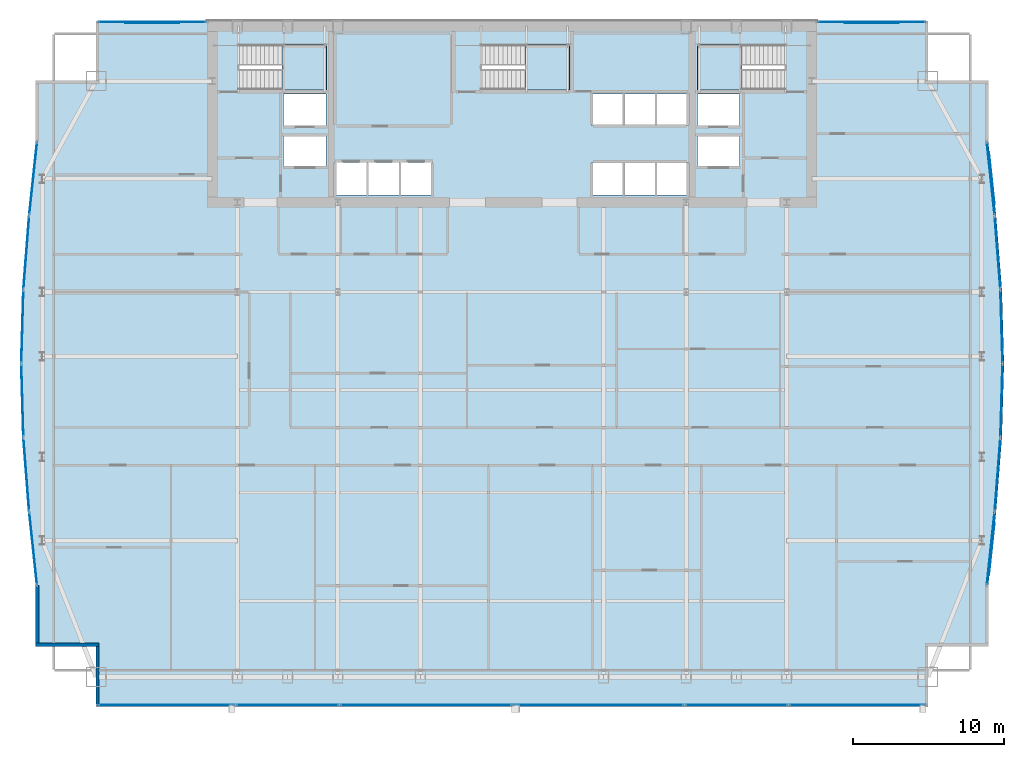
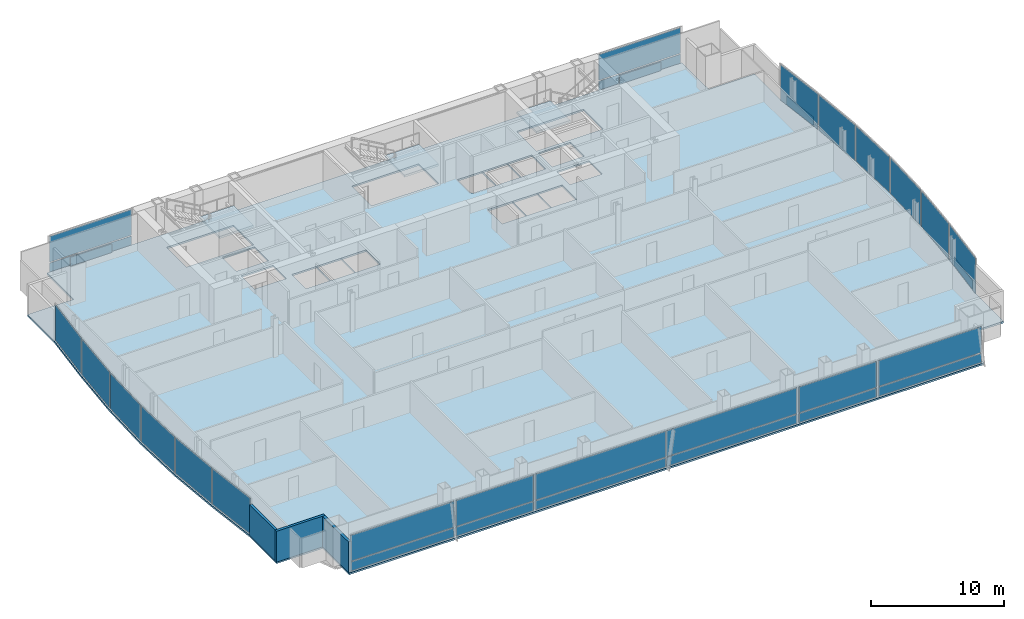
# One storey, part 23 of 29: 32 plates, 4 slabs, 3 walls, 22 elements without a shape of their own.
"""IFC4 building model written with IfcOpenShell, lengths in metres."""

from ifc_helpers import new_model, si_unit, direction, frame, frame_2d, origin, origin_2d, place, context, subcontext, project, spatial, polyline, rectangle, outline, extrude, material, layer, layer_set, type_object, element, aggregate, save


model = new_model("IFC4")

# Units and contexts
model_context = context("Model", 3, precision=1e-05, world=origin(), true_north=direction((0.0, 1.0)))
body_context = subcontext(model_context, "Body", "Model", "MODEL_VIEW")
ifc_project = project(units=[si_unit("LENGTHUNIT", "METRE"), si_unit("AREAUNIT", "SQUARE_METRE"), si_unit("VOLUMEUNIT", "CUBIC_METRE"), si_unit("PLANEANGLEUNIT", "RADIAN"), si_unit("MASSUNIT", "GRAM", prefix="KILO")], contexts=[model_context])

# Site, building, storey
site_placement = place(None, origin())
site = spatial("IfcSite", under=ifc_project, at=site_placement, CompositionType="ELEMENT")
building_placement = place(site_placement, origin())
building = spatial("IfcBuilding", under=site, at=building_placement, Name="Khoronbel Lancet Exchange", CompositionType="ELEMENT")
storey_placement = place(building_placement, frame((0.0, 0.0, 139.800048828125)))
storey = spatial("IfcBuildingStorey", under=building, at=storey_placement, Name="L34", CompositionType="ELEMENT", Elevation=139.800048828125)

# Curtain wall, plate
ifc_material_1 = material(Name="Low-E Solar Control Insulating Glass", Category="glass")
curtain_wall_type_1 = type_object("IfcCurtainWallType", Name="CW-4", PredefinedType="NOTDEFINED", material=ifc_material_1)
curtain_wall_1_placement = place(storey_placement, origin())
curtain_wall_1 = element("IfcCurtainWall", 1, at=curtain_wall_1_placement, inside=storey, type_object=curtain_wall_type_1, Name="Unitised curtain wall CW-L34-E05", PredefinedType="NOTDEFINED")
ifc_material_2 = material(Name="Bronze-Anodised Aluminium 6063-T6", Category="aluminium")
ifc_layer_1 = layer(ifc_material_2, 0.050048828125, Name="Bronze-Anodised Aluminium 6063-T6")
ifc_layer_set_1 = layer_set([ifc_layer_1], Name="Bronze-Anodised Aluminium 6063-T6")
plate_type_1 = type_object("IfcPlateType", Name="PLT-CSP1", PredefinedType="SHEET", material=ifc_layer_set_1)
plate_1_placement = place(storey_placement, frame((4.22265625, 23.58154296875, 0.0849609375), z_axis=(0.0, 0.0, 1.0), x_axis=(-0.077920756627, 0.996959555693, 0.0)))
plate_1 = element("IfcPlate", 2, at=plate_1_placement, type_object=plate_type_1, Name="CW4 panel 1.1", PredefinedType="CURTAIN_PANEL", context=body_context, shape_type="SweptSolid", body=[
    extrude(rectangle(XDim=4.778076171875, YDim=0.0380859375, at=origin_2d()), origin(), (0.0, 0.0, 1.0), 3.27001953125),
])
aggregate(curtain_wall_1, [plate_1])

curtain_wall_2_placement = place(storey_placement, origin())
curtain_wall_2 = element("IfcCurtainWall", 3, at=curtain_wall_2_placement, inside=storey, type_object=curtain_wall_type_1, Name="Unitised curtain wall CW-L34-E06", PredefinedType="NOTDEFINED")
plate_2_placement = place(storey_placement, frame((3.960205078125, 28.494140625, 0.0849609375), z_axis=(0.0, 0.0, 1.0), x_axis=(-0.028612641702, 0.999590574553, 0.0)))
plate_2 = element("IfcPlate", 4, at=plate_2_placement, type_object=plate_type_1, Name="CW4 panel 1.1", PredefinedType="CURTAIN_PANEL", context=body_context, shape_type="SweptSolid", body=[
    extrude(rectangle(XDim=4.763916015625, YDim=0.0380859375, at=origin_2d()), origin(), (0.0, 0.0, 1.0), 3.27001953125),
])
aggregate(curtain_wall_2, [plate_2])

curtain_wall_3_placement = place(storey_placement, origin())
curtain_wall_3 = element("IfcCurtainWall", 5, at=curtain_wall_3_placement, inside=storey, type_object=curtain_wall_type_1, Name="Unitised curtain wall CW-L34-E07", PredefinedType="NOTDEFINED")
plate_3_placement = place(storey_placement, frame((3.960205078125, 33.406005859375, 0.0849609375), z_axis=(0.0, 0.0, 1.0), x_axis=(0.028612641702, 0.999590574553, 0.0)))
plate_3 = element("IfcPlate", 6, at=plate_3_placement, type_object=plate_type_1, Name="CW4 panel 1.1", PredefinedType="CURTAIN_PANEL", context=body_context, shape_type="SweptSolid", body=[
    extrude(rectangle(XDim=4.763916015625, YDim=0.0380859375, at=origin_2d()), origin(), (0.0, 0.0, 1.0), 3.27001953125),
])
aggregate(curtain_wall_3, [plate_3])

curtain_wall_4_placement = place(storey_placement, origin())
curtain_wall_4 = element("IfcCurtainWall", 7, at=curtain_wall_4_placement, inside=storey, type_object=curtain_wall_type_1, Name="Unitised curtain wall CW-L34-E08", PredefinedType="NOTDEFINED")
plate_4_placement = place(storey_placement, frame((4.22265625, 38.318359375, 0.0849609375), z_axis=(0.0, 0.0, 1.0), x_axis=(0.077920756627, 0.996959555693, 0.0)))
plate_4 = element("IfcPlate", 8, at=plate_4_placement, type_object=plate_type_1, Name="CW4 panel 1.1", PredefinedType="CURTAIN_PANEL", context=body_context, shape_type="SweptSolid", body=[
    extrude(rectangle(XDim=4.778076171875, YDim=0.0380859375, at=origin_2d()), origin(), (0.0, 0.0, 1.0), 3.27001953125),
])
aggregate(curtain_wall_4, [plate_4])

curtain_wall_type_2 = type_object("IfcCurtainWallType", Name="CW-3", PredefinedType="NOTDEFINED", material=ifc_material_1)
curtain_wall_5_placement = place(storey_placement, origin())
curtain_wall_5 = element("IfcCurtainWall", 9, at=curtain_wall_5_placement, inside=storey, type_object=curtain_wall_type_2, Name="Unitised curtain wall CW-L34-NWFLK", PredefinedType="NOTDEFINED")
plate_5_placement = place(storey_placement, frame((12.580078125, 53.550048828125, 0.0498046875), z_axis=(0.0, 0.0, 1.0), x_axis=(-1.0, 0.0, 0.0)))
plate_5 = element("IfcPlate", 10, at=plate_5_placement, type_object=plate_type_1, Name="Insulated bronze spandrel cassette CW-L34-NWFLK", PredefinedType="SHEET", context=body_context, shape_type="SweptSolid", body=[
    extrude(rectangle(XDim=3.60009765625, YDim=0.050048828125, at=origin_2d()), origin(), (0.0, 0.0, 1.0), 0.800048828125),
])

curtain_wall_6_placement = place(storey_placement, origin())
curtain_wall_6 = element("IfcCurtainWall", 11, at=curtain_wall_6_placement, inside=storey, type_object=curtain_wall_type_2, Name="Unitised curtain wall CW-L34-NEFLK", PredefinedType="NOTDEFINED")
plate_6_placement = place(storey_placement, frame((60.320068359375, 53.550048828125, 0.0498046875), z_axis=(0.0, 0.0, 1.0), x_axis=(-1.0, 0.0, 0.0)))
plate_6 = element("IfcPlate", 12, at=plate_6_placement, type_object=plate_type_1, Name="Insulated bronze spandrel cassette CW-L34-NEFLK", PredefinedType="SHEET", context=body_context, shape_type="SweptSolid", body=[
    extrude(rectangle(XDim=3.60009765625, YDim=0.050048828125, at=origin_2d()), origin(), (0.0, 0.0, 1.0), 0.800048828125),
])

curtain_wall_7_placement = place(storey_placement, origin())
curtain_wall_7 = element("IfcCurtainWall", 13, at=curtain_wall_7_placement, inside=storey, type_object=curtain_wall_type_1, Name="Unitised curtain wall CW-L34-E17", PredefinedType="NOTDEFINED")
plate_7_placement = place(storey_placement, frame((68.282470703125, 43.241455078125, 0.0498046875), z_axis=(0.0, 0.0, 1.0), x_axis=(0.106180610586, -0.994346859972, 0.0)))
plate_7 = element("IfcPlate", 14, at=plate_7_placement, type_object=plate_type_1, Name="Insulated bronze spandrel cassette CW-L34-E17", PredefinedType="SHEET", context=body_context, shape_type="SweptSolid", body=[
    extrude(rectangle(XDim=3.463623046875, YDim=0.050048828125, at=origin_2d()), origin(), (0.0, 0.0, 1.0), 0.800048828125),
])

curtain_wall_8_placement = place(storey_placement, origin())
curtain_wall_8 = element("IfcCurtainWall", 15, at=curtain_wall_8_placement, inside=storey, type_object=curtain_wall_type_1, Name="Unitised curtain wall CW-L34-E18", PredefinedType="NOTDEFINED")
plate_8_placement = place(storey_placement, frame((68.677490234375, 38.318359375, 0.0849609375), z_axis=(0.0, 0.0, 1.0), x_axis=(0.077920756627, -0.996959555693, 0.0)))
plate_8 = element("IfcPlate", 16, at=plate_8_placement, type_object=plate_type_1, Name="CW4 panel 1.1", PredefinedType="CURTAIN_PANEL", context=body_context, shape_type="SweptSolid", body=[
    extrude(rectangle(XDim=4.778076171875, YDim=0.0380859375, at=origin_2d()), origin(), (0.0, 0.0, 1.0), 3.27001953125),
])
aggregate(curtain_wall_8, [plate_8])

curtain_wall_9_placement = place(storey_placement, origin())
curtain_wall_9 = element("IfcCurtainWall", 17, at=curtain_wall_9_placement, inside=storey, type_object=curtain_wall_type_1, Name="Unitised curtain wall CW-L34-E19", PredefinedType="NOTDEFINED")
plate_9_placement = place(storey_placement, frame((68.939697265625, 33.406005859375, 0.0849609375), z_axis=(0.0, 0.0, 1.0), x_axis=(0.028612641702, -0.999590574553, 0.0)))
plate_9 = element("IfcPlate", 18, at=plate_9_placement, type_object=plate_type_1, Name="CW4 panel 1.1", PredefinedType="CURTAIN_PANEL", context=body_context, shape_type="SweptSolid", body=[
    extrude(rectangle(XDim=4.763916015625, YDim=0.0380859375, at=origin_2d()), origin(), (0.0, 0.0, 1.0), 3.27001953125),
])
aggregate(curtain_wall_9, [plate_9])

curtain_wall_10_placement = place(storey_placement, origin())
curtain_wall_10 = element("IfcCurtainWall", 19, at=curtain_wall_10_placement, inside=storey, type_object=curtain_wall_type_1, Name="Unitised curtain wall CW-L34-E20", PredefinedType="NOTDEFINED")
plate_10_placement = place(storey_placement, frame((68.939697265625, 28.494140625, 0.0849609375), z_axis=(0.0, 0.0, 1.0), x_axis=(-0.028612641702, -0.999590574553, 0.0)))
plate_10 = element("IfcPlate", 20, at=plate_10_placement, type_object=plate_type_1, Name="CW4 panel 1.1", PredefinedType="CURTAIN_PANEL", context=body_context, shape_type="SweptSolid", body=[
    extrude(rectangle(XDim=4.763916015625, YDim=0.0380859375, at=origin_2d()), origin(), (0.0, 0.0, 1.0), 3.27001953125),
])
aggregate(curtain_wall_10, [plate_10])

curtain_wall_11_placement = place(storey_placement, origin())
curtain_wall_11 = element("IfcCurtainWall", 21, at=curtain_wall_11_placement, inside=storey, type_object=curtain_wall_type_1, Name="Unitised curtain wall CW-L34-E21", PredefinedType="NOTDEFINED")
plate_11_placement = place(storey_placement, frame((68.677490234375, 23.58154296875, 0.0849609375), z_axis=(0.0, 0.0, 1.0), x_axis=(-0.077920756627, -0.996959555693, 0.0)))
plate_11 = element("IfcPlate", 22, at=plate_11_placement, type_object=plate_type_1, Name="CW4 panel 1.1", PredefinedType="CURTAIN_PANEL", context=body_context, shape_type="SweptSolid", body=[
    extrude(rectangle(XDim=4.778076171875, YDim=0.0380859375, at=origin_2d()), origin(), (0.0, 0.0, 1.0), 3.27001953125),
])
aggregate(curtain_wall_11, [plate_11])

curtain_wall_12_placement = place(storey_placement, origin())
curtain_wall_12 = element("IfcCurtainWall", 23, at=curtain_wall_12_placement, inside=storey, type_object=curtain_wall_type_1, Name="Unitised curtain wall CW-L34-E22", PredefinedType="NOTDEFINED")
plate_12_placement = place(storey_placement, frame((68.282470703125, 18.658447265625, 0.0498046875), z_axis=(0.0, 0.0, 1.0), x_axis=(-0.106180610586, -0.994346859972, 0.0)))
plate_12 = element("IfcPlate", 24, at=plate_12_placement, type_object=plate_type_1, Name="Insulated bronze spandrel cassette CW-L34-E22", PredefinedType="SHEET", context=body_context, shape_type="SweptSolid", body=[
    extrude(rectangle(XDim=3.463623046875, YDim=0.050048828125, at=origin_2d()), origin(), (0.0, 0.0, 1.0), 0.800048828125),
])

# Curtain wall, plates
curtain_wall_13_placement = place(storey_placement, origin())
curtain_wall_13 = element("IfcCurtainWall", 25, at=curtain_wall_13_placement, inside=storey, type_object=curtain_wall_type_2, Name="Unitised curtain wall CW-L34-SWB", PredefinedType="NOTDEFINED")
plate_13_placement = place(storey_placement, frame((21.550048828125, 8.2900390625, 0.0849609375), z_axis=(0.0, 0.0, 1.0), x_axis=(1.0, 0.0, 0.0)))
plate_13 = element("IfcPlate", 26, at=plate_13_placement, type_object=plate_type_1, Name="CW3 panel 1.1", PredefinedType="CURTAIN_PANEL", context=body_context, shape_type="SweptSolid", body=[
    extrude(rectangle(XDim=6.72998046875, YDim=0.0380859375, at=origin_2d()), origin(), (0.0, 0.0, 1.0), 0.822509765625),
])
plate_14_placement = place(storey_placement, frame((21.550048828125, 8.2900390625, 0.9921875), z_axis=(0.0, 0.0, 1.0), x_axis=(1.0, 0.0, 0.0)))
plate_14 = element("IfcPlate", 27, at=plate_14_placement, type_object=plate_type_1, Name="CW3 panel 1.2", PredefinedType="CURTAIN_PANEL", context=body_context, shape_type="SweptSolid", body=[
    extrude(rectangle(XDim=6.72998046875, YDim=0.0380859375, at=origin_2d()), origin(), (0.0, 0.0, 1.0), 2.362548828125),
])
aggregate(curtain_wall_13, [plate_13, plate_14])

curtain_wall_14_placement = place(storey_placement, origin())
curtain_wall_14 = element("IfcCurtainWall", 28, at=curtain_wall_14_placement, inside=storey, type_object=curtain_wall_type_2, Name="Unitised curtain wall CW-L34-SEB", PredefinedType="NOTDEFINED")
plate_15_placement = place(storey_placement, frame((51.35009765625, 8.2900390625, 0.0849609375), z_axis=(0.0, 0.0, 1.0), x_axis=(1.0, 0.0, 0.0)))
plate_15 = element("IfcPlate", 29, at=plate_15_placement, type_object=plate_type_1, Name="CW3 panel 1.1", PredefinedType="CURTAIN_PANEL", context=body_context, shape_type="SweptSolid", body=[
    extrude(rectangle(XDim=6.72998046875, YDim=0.0380859375, at=origin_2d()), origin(), (0.0, 0.0, 1.0), 0.822509765625),
])
plate_16_placement = place(storey_placement, frame((51.35009765625, 8.2900390625, 0.9921875), z_axis=(0.0, 0.0, 1.0), x_axis=(1.0, 0.0, 0.0)))
plate_16 = element("IfcPlate", 30, at=plate_16_placement, type_object=plate_type_1, Name="CW3 panel 1.2", PredefinedType="CURTAIN_PANEL", context=body_context, shape_type="SweptSolid", body=[
    extrude(rectangle(XDim=6.72998046875, YDim=0.0380859375, at=origin_2d()), origin(), (0.0, 0.0, 1.0), 2.362548828125),
])
aggregate(curtain_wall_14, [plate_15, plate_16])

# Plate
ifc_layer_2 = layer(ifc_material_1, 0.035888671875, Name="Low-E Solar Control Insulating Glass")
ifc_layer_set_2 = layer_set([ifc_layer_2], Name="Low-E Solar Control Insulating Glass")
plate_type_2 = type_object("IfcPlateType", Name="PLT-CWP1", PredefinedType="CURTAIN_PANEL", material=ifc_layer_set_2)
plate_17_placement = place(storey_placement, frame((12.580078125, 53.610107421875, 0.0849609375), z_axis=(0.0, 0.0, 1.0), x_axis=(-1.0, 0.0, 0.0)))
plate_17 = element("IfcPlate", 31, at=plate_17_placement, type_object=plate_type_2, Name="CW3 panel 1.1", PredefinedType="CURTAIN_PANEL", context=body_context, shape_type="SweptSolid", body=[
    extrude(rectangle(XDim=7.110107421875, YDim=0.0380859375, at=origin_2d()), origin(), (0.0, 0.0, 1.0), 0.822509765625),
])

plate_18_placement = place(storey_placement, frame((12.580078125, 53.610107421875, 0.9921875), z_axis=(0.0, 0.0, 1.0), x_axis=(-1.0, 0.0, 0.0)))
plate_18 = element("IfcPlate", 32, at=plate_18_placement, type_object=plate_type_2, Name="CW3 panel 1.2", PredefinedType="CURTAIN_PANEL", context=body_context, shape_type="SweptSolid", body=[
    extrude(rectangle(XDim=7.110107421875, YDim=0.0380859375, at=origin_2d()), origin(), (0.0, 0.0, 1.0), 2.362548828125),
])

aggregate(curtain_wall_5, [plate_17, plate_18, plate_5])

plate_19_placement = place(storey_placement, frame((60.320068359375, 53.610107421875, 0.0849609375), z_axis=(0.0, 0.0, 1.0), x_axis=(-1.0, 0.0, 0.0)))
plate_19 = element("IfcPlate", 33, at=plate_19_placement, type_object=plate_type_2, Name="CW3 panel 1.1", PredefinedType="CURTAIN_PANEL", context=body_context, shape_type="SweptSolid", body=[
    extrude(rectangle(XDim=7.110107421875, YDim=0.0380859375, at=origin_2d()), origin(), (0.0, 0.0, 1.0), 0.822509765625),
])

plate_20_placement = place(storey_placement, frame((60.320068359375, 53.610107421875, 0.9921875), z_axis=(0.0, 0.0, 1.0), x_axis=(-1.0, 0.0, 0.0)))
plate_20 = element("IfcPlate", 34, at=plate_20_placement, type_object=plate_type_2, Name="CW3 panel 1.2", PredefinedType="CURTAIN_PANEL", context=body_context, shape_type="SweptSolid", body=[
    extrude(rectangle(XDim=7.110107421875, YDim=0.0380859375, at=origin_2d()), origin(), (0.0, 0.0, 1.0), 2.362548828125),
])

aggregate(curtain_wall_6, [plate_19, plate_20, plate_6])

# Curtain wall, plates
curtain_wall_15_placement = place(storey_placement, origin())
curtain_wall_15 = element("IfcCurtainWall", 35, at=curtain_wall_15_placement, inside=storey, type_object=curtain_wall_type_2, Name="Unitised curtain wall CW-L34-SWV", PredefinedType="NOTDEFINED")
plate_21_placement = place(storey_placement, frame((13.52001953125, 8.2900390625, 0.0849609375), z_axis=(0.0, 0.0, 1.0), x_axis=(1.0, 0.0, 0.0)))
plate_21 = element("IfcPlate", 36, at=plate_21_placement, type_object=plate_type_2, Name="CW3 panel 1.1", PredefinedType="CURTAIN_PANEL", context=body_context, shape_type="SweptSolid", body=[
    extrude(rectangle(XDim=8.989990234375, YDim=0.0380859375, at=origin_2d()), origin(), (0.0, 0.0, 1.0), 0.822509765625),
])
plate_22_placement = place(storey_placement, frame((13.52001953125, 8.2900390625, 0.9921875), z_axis=(0.0, 0.0, 1.0), x_axis=(1.0, 0.0, 0.0)))
plate_22 = element("IfcPlate", 37, at=plate_22_placement, type_object=plate_type_2, Name="CW3 panel 1.2", PredefinedType="CURTAIN_PANEL", context=body_context, shape_type="SweptSolid", body=[
    extrude(rectangle(XDim=8.989990234375, YDim=0.0380859375, at=origin_2d()), origin(), (0.0, 0.0, 1.0), 2.362548828125),
])
aggregate(curtain_wall_15, [plate_21, plate_22])

curtain_wall_16_placement = place(storey_placement, origin())
curtain_wall_16 = element("IfcCurtainWall", 38, at=curtain_wall_16_placement, inside=storey, type_object=curtain_wall_type_2, Name="Unitised curtain wall CW-L34-SCV", PredefinedType="NOTDEFINED")
plate_23_placement = place(storey_placement, frame((30.746337890625, 8.2900390625, 0.0849609375), z_axis=(0.0, 0.0, 1.0), x_axis=(1.0, 0.0, 0.0)))
plate_23 = element("IfcPlate", 39, at=plate_23_placement, type_object=plate_type_2, Name="CW3 panel 1.1", PredefinedType="CURTAIN_PANEL", context=body_context, shape_type="SweptSolid", body=[
    extrude(rectangle(XDim=11.322509765625, YDim=0.0380859375, at=origin_2d()), origin(), (0.0, 0.0, 1.0), 0.822509765625),
])
plate_24_placement = place(storey_placement, frame((30.746337890625, 8.2900390625, 0.9921875), z_axis=(0.0, 0.0, 1.0), x_axis=(1.0, 0.0, 0.0)))
plate_24 = element("IfcPlate", 40, at=plate_24_placement, type_object=plate_type_2, Name="CW3 panel 1.2", PredefinedType="CURTAIN_PANEL", context=body_context, shape_type="SweptSolid", body=[
    extrude(rectangle(XDim=11.322509765625, YDim=0.0380859375, at=origin_2d()), origin(), (0.0, 0.0, 1.0), 2.362548828125),
])
plate_25_placement = place(storey_placement, frame((42.15380859375, 8.2900390625, 0.0849609375), z_axis=(0.0, 0.0, 1.0), x_axis=(1.0, 0.0, 0.0)))
plate_25 = element("IfcPlate", 41, at=plate_25_placement, type_object=plate_type_2, Name="CW3 panel 2.1", PredefinedType="CURTAIN_PANEL", context=body_context, shape_type="SweptSolid", body=[
    extrude(rectangle(XDim=11.322509765625, YDim=0.0380859375, at=origin_2d()), origin(), (0.0, 0.0, 1.0), 0.822509765625),
])
plate_26_placement = place(storey_placement, frame((42.15380859375, 8.2900390625, 0.9921875), z_axis=(0.0, 0.0, 1.0), x_axis=(1.0, 0.0, 0.0)))
plate_26 = element("IfcPlate", 42, at=plate_26_placement, type_object=plate_type_2, Name="CW3 panel 2.2", PredefinedType="CURTAIN_PANEL", context=body_context, shape_type="SweptSolid", body=[
    extrude(rectangle(XDim=11.322509765625, YDim=0.0380859375, at=origin_2d()), origin(), (0.0, 0.0, 1.0), 2.362548828125),
])
aggregate(curtain_wall_16, [plate_23, plate_24, plate_25, plate_26])

curtain_wall_17_placement = place(storey_placement, origin())
curtain_wall_17 = element("IfcCurtainWall", 43, at=curtain_wall_17_placement, inside=storey, type_object=curtain_wall_type_2, Name="Unitised curtain wall CW-L34-SEV", PredefinedType="NOTDEFINED")
plate_27_placement = place(storey_placement, frame((59.3798828125, 8.2900390625, 0.0849609375), z_axis=(0.0, 0.0, 1.0), x_axis=(1.0, 0.0, 0.0)))
plate_27 = element("IfcPlate", 44, at=plate_27_placement, type_object=plate_type_2, Name="CW3 panel 1.1", PredefinedType="CURTAIN_PANEL", context=body_context, shape_type="SweptSolid", body=[
    extrude(rectangle(XDim=8.989990234375, YDim=0.0380859375, at=origin_2d()), origin(), (0.0, 0.0, 1.0), 0.822509765625),
])
plate_28_placement = place(storey_placement, frame((59.3798828125, 8.2900390625, 0.9921875), z_axis=(0.0, 0.0, 1.0), x_axis=(1.0, 0.0, 0.0)))
plate_28 = element("IfcPlate", 45, at=plate_28_placement, type_object=plate_type_2, Name="CW3 panel 1.2", PredefinedType="CURTAIN_PANEL", context=body_context, shape_type="SweptSolid", body=[
    extrude(rectangle(XDim=8.989990234375, YDim=0.0380859375, at=origin_2d()), origin(), (0.0, 0.0, 1.0), 2.362548828125),
])
aggregate(curtain_wall_17, [plate_27, plate_28])

# Curtain wall, plate
curtain_wall_18_placement = place(storey_placement, origin())
curtain_wall_18 = element("IfcCurtainWall", 46, at=curtain_wall_18_placement, inside=storey, type_object=curtain_wall_type_1, Name="Unitised curtain wall CW-L34-E04", PredefinedType="NOTDEFINED")
ifc_material_3 = material(Name="Ceramic-Fritted Laminated Insulating Glass", Category="glass")
ifc_layer_3 = layer(ifc_material_3, 0.0419921875, Name="Ceramic-Fritted Laminated Insulating Glass")
ifc_layer_set_3 = layer_set([ifc_layer_3], Name="Ceramic-Fritted Laminated Insulating Glass")
plate_type_3 = type_object("IfcPlateType", Name="PLT-CWP2", PredefinedType="CURTAIN_PANEL", material=ifc_layer_set_3)
plate_29_placement = place(storey_placement, frame((4.67724609375, 18.664794921875, 0.0849609375), z_axis=(0.0, 0.0, 1.0), x_axis=(-0.106180610586, 0.994346859972, 0.0)))
plate_29 = element("IfcPlate", 47, at=plate_29_placement, type_object=plate_type_3, Name="CW4 panel 1.1", PredefinedType="CURTAIN_PANEL", context=body_context, shape_type="SweptSolid", body=[
    extrude(rectangle(XDim=4.798095703125, YDim=0.0380859375, at=origin_2d()), origin(), (0.0, 0.0, 1.0), 3.27001953125),
])
aggregate(curtain_wall_18, [plate_29])

curtain_wall_19_placement = place(storey_placement, origin())
curtain_wall_19 = element("IfcCurtainWall", 48, at=curtain_wall_19_placement, inside=storey, type_object=curtain_wall_type_1, Name="Unitised curtain wall CW-L34-E09", PredefinedType="NOTDEFINED")
plate_30_placement = place(storey_placement, frame((4.67724609375, 43.235107421875, 0.0849609375), z_axis=(0.0, 0.0, 1.0), x_axis=(0.106180610586, 0.994346859972, 0.0)))
plate_30 = element("IfcPlate", 49, at=plate_30_placement, type_object=plate_type_3, Name="CW4 panel 1.1", PredefinedType="CURTAIN_PANEL", context=body_context, shape_type="SweptSolid", body=[
    extrude(rectangle(XDim=4.798095703125, YDim=0.0380859375, at=origin_2d()), origin(), (0.0, 0.0, 1.0), 3.27001953125),
])
aggregate(curtain_wall_19, [plate_30])

# Plate
plate_31_placement = place(storey_placement, frame((68.22265625, 43.235107421875, 0.0849609375), z_axis=(0.0, 0.0, 1.0), x_axis=(0.106180610586, -0.994346859972, 0.0)))
plate_31 = element("IfcPlate", 50, at=plate_31_placement, type_object=plate_type_3, Name="CW4 panel 1.1", PredefinedType="CURTAIN_PANEL", context=body_context, shape_type="SweptSolid", body=[
    extrude(rectangle(XDim=4.798095703125, YDim=0.0380859375, at=origin_2d()), origin(), (0.0, 0.0, 1.0), 3.27001953125),
])

aggregate(curtain_wall_7, [plate_31, plate_7])

plate_32_placement = place(storey_placement, frame((68.22265625, 18.664794921875, 0.0849609375), z_axis=(0.0, 0.0, 1.0), x_axis=(-0.106180610586, -0.994346859972, 0.0)))
plate_32 = element("IfcPlate", 51, at=plate_32_placement, type_object=plate_type_3, Name="CW4 panel 1.1", PredefinedType="CURTAIN_PANEL", context=body_context, shape_type="SweptSolid", body=[
    extrude(rectangle(XDim=4.798095703125, YDim=0.0380859375, at=origin_2d()), origin(), (0.0, 0.0, 1.0), 3.27001953125),
])

aggregate(curtain_wall_12, [plate_32, plate_12])

# Slab
ifc_material_4 = material(Name="Concrete C40/50", Category="concrete")
ifc_layer_4 = layer(ifc_material_4, 0.159912109375, Name="Concrete C40/50")
ifc_layer_set_4 = layer_set([ifc_layer_4], Name="Concrete C40/50")
slab_type_1 = type_object("IfcSlabType", Name="SL-FL160", PredefinedType="FLOOR", material=ifc_layer_set_4)
slab_1_placement = place(storey_placement, frame((0.0, 0.0, -0.16015625)))
element("IfcSlab", 52, at=slab_1_placement, inside=storey, type_object=slab_type_1, Name="Level L34 composite structural floor slab", PredefinedType="FLOOR", context=body_context, shape_type="SweptSolid", body=[
    extrude(outline(polyline([(8.85009765625, 8.199951171875), (64.050048828125, 8.199951171875), (64.050048828125, 12.199951171875), (68.050048828125, 12.199951171875), (68.050048828125, 16.199951171875), (68.574951171875, 21.11669921875), (68.959228515625, 26.033203125), (69.10009765625, 30.949951171875), (68.959228515625, 35.86669921875), (68.574951171875, 40.783203125), (68.050048828125, 45.699951171875), (68.050048828125, 49.699951171875), (64.050048828125, 49.699951171875), (64.050048828125, 53.699951171875), (8.85009765625, 53.699951171875), (8.85009765625, 49.699951171875), (4.85009765625, 49.699951171875), (4.85009765625, 45.699951171875), (4.324951171875, 40.783203125), (3.940673828125, 35.86669921875), (3.800048828125, 30.949951171875), (3.940673828125, 26.033203125), (4.324951171875, 21.11669921875), (4.85009765625, 16.199951171875), (4.85009765625, 12.199951171875), (8.85009765625, 12.199951171875), (8.85009765625, 8.199951171875)]), holes=[polyline([(18.324951171875, 49.1201171875), (24.14990234375, 49.1201171875), (24.14990234375, 52.10009765625), (18.324951171875, 52.10009765625), (18.324951171875, 49.1201171875)]), polyline([(48.75, 49.1201171875), (54.574951171875, 49.1201171875), (54.574951171875, 52.10009765625), (48.75, 52.10009765625), (48.75, 49.1201171875)]), polyline([(34.425048828125, 49.1201171875), (40.25, 49.1201171875), (40.25, 52.10009765625), (34.425048828125, 52.10009765625), (34.425048828125, 49.1201171875)]), polyline([(24.699951171875, 42.14990234375), (26.840087890625, 42.14990234375), (26.840087890625, 44.300048828125), (24.699951171875, 44.300048828125), (24.699951171875, 42.14990234375)]), polyline([(26.860107421875, 42.14990234375), (29.0, 42.14990234375), (29.0, 44.300048828125), (26.860107421875, 44.300048828125), (26.860107421875, 42.14990234375)]), polyline([(29.02001953125, 42.14990234375), (31.159912109375, 42.14990234375), (31.159912109375, 44.300048828125), (29.02001953125, 44.300048828125), (29.02001953125, 42.14990234375)]), polyline([(41.739990234375, 46.75), (43.8798828125, 46.75), (43.8798828125, 48.85009765625), (41.739990234375, 48.85009765625), (41.739990234375, 46.75)]), polyline([(43.89990234375, 46.75), (46.0400390625, 46.75), (46.0400390625, 48.85009765625), (43.89990234375, 48.85009765625), (43.89990234375, 46.75)]), polyline([(46.06005859375, 46.75), (48.199951171875, 46.75), (48.199951171875, 48.85009765625), (46.06005859375, 48.85009765625), (46.06005859375, 46.75)]), polyline([(41.739990234375, 42.14990234375), (43.8798828125, 42.14990234375), (43.8798828125, 44.300048828125), (41.739990234375, 44.300048828125), (41.739990234375, 42.14990234375)]), polyline([(43.89990234375, 42.14990234375), (46.0400390625, 42.14990234375), (46.0400390625, 44.300048828125), (43.89990234375, 44.300048828125), (43.89990234375, 42.14990234375)]), polyline([(46.06005859375, 42.14990234375), (48.199951171875, 42.14990234375), (48.199951171875, 44.300048828125), (46.06005859375, 44.300048828125), (46.06005859375, 42.14990234375)]), polyline([(21.300048828125, 46.75), (24.10009765625, 46.75), (24.10009765625, 48.85009765625), (21.300048828125, 48.85009765625), (21.300048828125, 46.75)]), polyline([(48.75, 46.75), (51.550048828125, 46.75), (51.550048828125, 48.85009765625), (48.75, 48.85009765625), (48.75, 46.75)]), polyline([(21.300048828125, 44.050048828125), (24.10009765625, 44.050048828125), (24.10009765625, 46.050048828125), (21.300048828125, 46.050048828125), (21.300048828125, 44.050048828125)]), polyline([(48.75, 44.050048828125), (51.550048828125, 44.050048828125), (51.550048828125, 46.050048828125), (48.75, 46.050048828125), (48.75, 44.050048828125)])]), origin(), (0.0, 0.0, 1.0), 0.16015625),
])

# Stair, slab
stair_type = type_object("IfcStairType", Name="STR-CORE150", PredefinedType="HALF_TURN_STAIR", material=ifc_material_4)
stair_1_placement = place(storey_placement, origin())
stair_1 = element("IfcStair", 53, at=stair_1_placement, inside=storey, type_object=stair_type, Name="L34 Protected Exit Stair ST1", PredefinedType="HALF_TURN_STAIR")
ifc_layer_5 = layer(ifc_material_4, 0.199951171875, Name="Concrete C40/50")
ifc_layer_set_5 = layer_set([ifc_layer_5], Name="Concrete C40/50")
slab_type_2 = type_object("IfcSlabType", Name="SL-LND180", PredefinedType="LANDING", material=ifc_layer_set_5)
slab_2_placement = place(storey_placement, frame((0.0, 0.0, 1.599853515625)))
slab_2 = element("IfcSlab", 54, at=slab_2_placement, type_object=slab_type_2, Name="ST1 landing 1", PredefinedType="LANDING", context=body_context, shape_type="SweptSolid", body=[
    extrude(outline(polyline([(21.199951171875, 49.1201171875), (24.14990234375, 49.1201171875), (24.14990234375, 52.10009765625), (21.199951171875, 52.10009765625), (21.199951171875, 49.1201171875)])), origin(), (0.0, 0.0, 1.0), 0.2001953125),
])
aggregate(stair_1, [slab_2])

stair_2_placement = place(storey_placement, origin())
stair_2 = element("IfcStair", 55, at=stair_2_placement, inside=storey, type_object=stair_type, Name="L34 Protected Exit Stair ST2", PredefinedType="HALF_TURN_STAIR")
slab_3_placement = place(storey_placement, frame((0.0, 0.0, 1.599853515625)))
slab_3 = element("IfcSlab", 56, at=slab_3_placement, type_object=slab_type_2, Name="ST2 landing 1", PredefinedType="LANDING", context=body_context, shape_type="SweptSolid", body=[
    extrude(outline(polyline([(51.699951171875, 52.10009765625), (48.75, 52.10009765625), (48.75, 49.1201171875), (51.699951171875, 49.1201171875), (51.699951171875, 52.10009765625)])), origin(), (0.0, 0.0, 1.0), 0.2001953125),
])
aggregate(stair_2, [slab_3])

stair_3_placement = place(storey_placement, origin())
stair_3 = element("IfcStair", 57, at=stair_3_placement, inside=storey, type_object=stair_type, Name="L34 Protected Exit Stair ST3", PredefinedType="HALF_TURN_STAIR")
slab_4_placement = place(storey_placement, frame((0.0, 0.0, 1.599853515625)))
slab_4 = element("IfcSlab", 58, at=slab_4_placement, type_object=slab_type_2, Name="ST3 landing 1", PredefinedType="LANDING", context=body_context, shape_type="SweptSolid", body=[
    extrude(outline(polyline([(37.300048828125, 49.1201171875), (40.25, 49.1201171875), (40.25, 52.10009765625), (37.300048828125, 52.10009765625), (37.300048828125, 49.1201171875)])), origin(), (0.0, 0.0, 1.0), 0.2001953125),
])
aggregate(stair_3, [slab_4])

# Walls
ifc_material_5 = material(Name="Precast concrete C40/50", Category="concrete")
ifc_layer_6 = layer(ifc_material_5, 0.25, Name="Precast concrete C40/50")
ifc_layer_set_6 = layer_set([ifc_layer_6], Name="Precast concrete C40/50")
wall_type = type_object("IfcWallType", Name="WL-EXT250", PredefinedType="SOLIDWALL", material=ifc_layer_set_6)
wall_1_placement = place(storey_placement, frame((8.93994140625, 8.27001953125, 0.0), z_axis=(0.0, 0.0, 1.0), x_axis=(0.0, 1.0, 0.0)))
element("IfcWall", 59, at=wall_1_placement, inside=storey, type_object=wall_type, Name="Level L34 notched-corner limestone pier 01", PredefinedType="SOLIDWALL", context=body_context, shape_type="SweptSolid", body=[
    extrude(rectangle(XDim=3.909912109375, YDim=0.219970703125, at=frame_2d((1.955078125, 0.0))), origin(), (0.0, 0.0, 1.0), 2.829833984375),
])
wall_2_placement = place(storey_placement, frame((9.050048828125, 12.2900390625, 0.0), z_axis=(0.0, 0.0, 1.0), x_axis=(-1.0, 0.0, 0.0)))
element("IfcWall", 60, at=wall_2_placement, inside=storey, type_object=wall_type, Name="Level L34 notched-corner limestone pier 02", PredefinedType="SOLIDWALL", context=body_context, shape_type="SweptSolid", body=[
    extrude(rectangle(XDim=4.219970703125, YDim=0.219970703125, at=frame_2d((2.10986328125, 0.0))), origin(), (0.0, 0.0, 1.0), 2.829833984375),
])
wall_3_placement = place(storey_placement, frame((4.93994140625, 12.39990234375, 0.0), z_axis=(0.0, 0.0, 1.0), x_axis=(0.0, 1.0, 0.0)))
element("IfcWall", 61, at=wall_3_placement, inside=storey, type_object=wall_type, Name="Level L34 notched-corner limestone pier 03", PredefinedType="SOLIDWALL", context=body_context, shape_type="SweptSolid", body=[
    extrude(rectangle(XDim=3.824951171875, YDim=0.219970703125, at=frame_2d((1.91259765625, 0.0))), origin(), (0.0, 0.0, 1.0), 2.829833984375),
])

save(model, "model.ifc")
